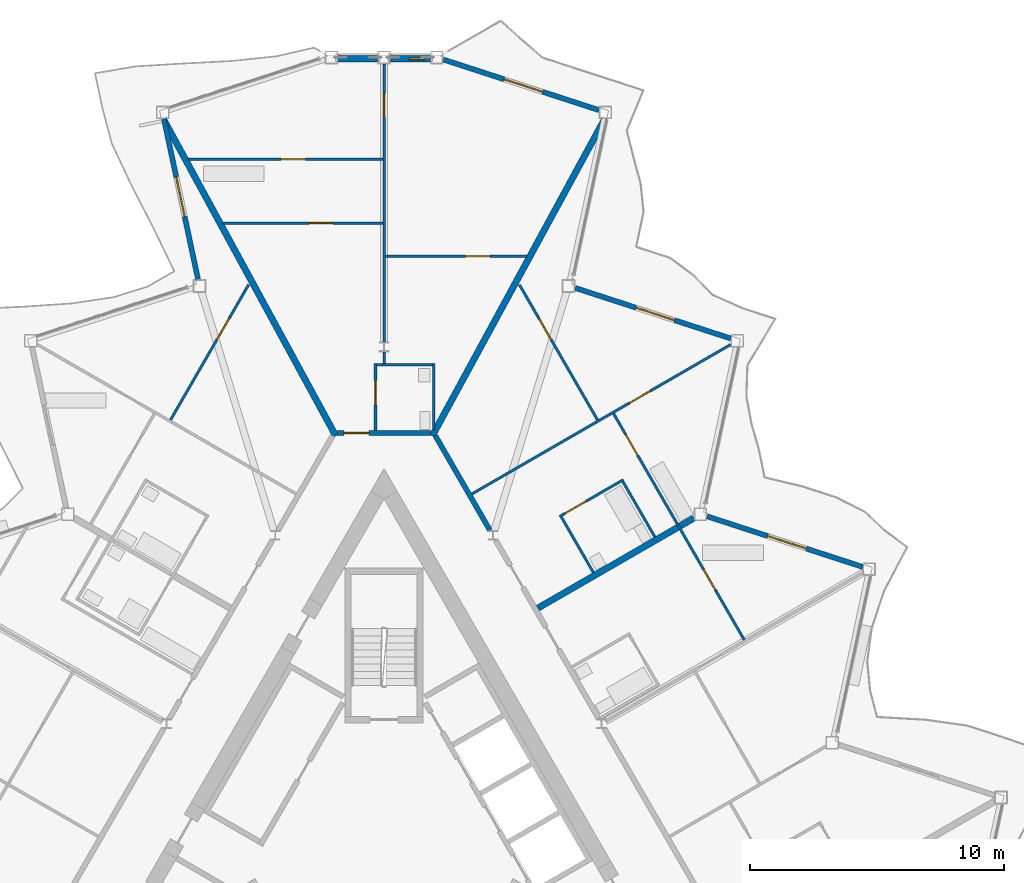
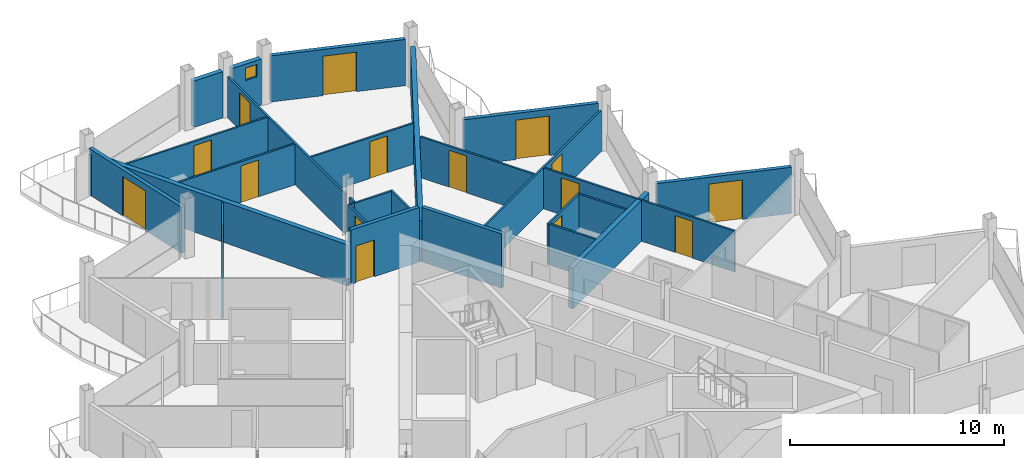
# One storey, part 17 of 26: 27 walls, 16 doors, 1 window, 17 openings.
"""IFC4 building model written with IfcOpenShell, lengths in metres."""

from ifc_helpers import new_model, si_unit, direction, frame, frame_2d, origin, place, context, subcontext, project, spatial, rectangle, extrude, material, layer, layer_set, type_object, element, fill, save


model = new_model("IFC4")

# Units and contexts
model_context = context("Model", 3, precision=1e-05, world=origin(), true_north=direction((0.0, 1.0)))
body_context = subcontext(model_context, "Body", "Model", "MODEL_VIEW")
ifc_project = project(units=[si_unit("LENGTHUNIT", "METRE"), si_unit("AREAUNIT", "SQUARE_METRE"), si_unit("VOLUMEUNIT", "CUBIC_METRE"), si_unit("PLANEANGLEUNIT", "RADIAN"), si_unit("MASSUNIT", "GRAM", prefix="KILO")], contexts=[model_context])

# Site, building, storey
site_placement = place(None, origin())
site = spatial("IfcSite", under=ifc_project, at=site_placement, CompositionType="ELEMENT")
building_placement = place(site_placement, origin())
building = spatial("IfcBuilding", under=site, at=building_placement, Name="Cormorant Prow Tower", CompositionType="ELEMENT")
storey_placement = place(building_placement, frame((0.0, 0.0, 398.39990234375)))
storey = spatial("IfcBuildingStorey", under=building, at=storey_placement, Name="L91", CompositionType="ELEMENT", Elevation=398.39990234375)

# Wall
ifc_material_1 = material(Name="Gypsum board corridor wall")
ifc_layer_1 = layer(ifc_material_1, 0.199951171875)
ifc_layer_set_1 = layer_set([ifc_layer_1], Name="Gypsum board corridor wall")
wall_type_1 = type_object("IfcWallType", Name="Corridor wall 200", PredefinedType="PARTITIONING", material=ifc_layer_set_1)
wall_1_placement = place(storey_placement, frame((2.025390625, 16.302978515625, 0.0), z_axis=(0.0, 0.0, 1.0), x_axis=(0.500004215162, -0.866022970146, 0.0)))
element("IfcWall", 1, at=wall_1_placement, inside=storey, type_object=wall_type_1, Name="Corridor wall", PredefinedType="PARTITIONING", context=body_context, shape_type="SweptSolid", body=[
    extrude(rectangle(XDim=4.30029296875, YDim=0.199951171875, at=frame_2d((2.150146484375, 0.0))), origin(), (0.0, 0.0, 1.0), 3.10009765625),
])

# Wall, opening, door
wall_2_placement = place(storey_placement, frame((-1.837890625, 16.4111328125, 0.0), z_axis=(0.0, 0.0, 1.0), x_axis=(1.0, 0.0, 0.0)))
wall_2 = element("IfcWall", 2, at=wall_2_placement, inside=storey, type_object=wall_type_1, Name="Corridor wall", PredefinedType="PARTITIONING", context=body_context, shape_type="SweptSolid", body=[
    extrude(rectangle(XDim=3.67578125, YDim=0.199951171875, at=frame_2d((1.837890625, 0.0))), origin(), (0.0, 0.0, 1.0), 3.10009765625),
])
opening_1_placement = place(wall_2_placement, frame((0.25, 0.0, 0.0)))
opening_1 = element("IfcOpeningElement", 3, at=opening_1_placement, cuts=wall_2, Name="Opening L91-F33", PredefinedType="OPENING", context=body_context, shape_type="SweptSolid", body=[
    extrude(rectangle(XDim=1.0, YDim=2.10009765625, at=frame_2d((0.5, 1.050048828125))), frame((0.0, 0.10986328125, 0.0), z_axis=(0.0, -1.0, 0.0), x_axis=(1.0, 0.0, 0.0)), (0.0, 0.0, 1.0), 0.219970703125),
])
ifc_material_2 = material(Name="Timber door leaf", Category="wood")
door_type_1 = type_object("IfcDoorType", Name="Flat or room entrance door 1000x2100", OperationType="NOTDEFINED", PredefinedType="DOOR", material=ifc_material_2)
door_1_placement = place(opening_1_placement, origin())
door_1 = element("IfcDoor", 4, at=door_1_placement, inside=storey, type_object=door_type_1, Name="Living room door", OperationType="SINGLE_SWING_RIGHT", OverallHeight=2.10009765625, OverallWidth=1.0, PredefinedType="DOOR", context=body_context, shape_type="SweptSolid", body=[
    extrude(rectangle(XDim=1.0, YDim=2.10009765625, at=frame_2d((0.5, 1.050048828125))), frame((0.0, 0.02490234375, 0.0), z_axis=(0.0, -1.0, 0.0), x_axis=(1.0, 0.0, 0.0)), (0.0, 0.0, 1.0), 0.050048828125),
])
fill(opening_1, door_1)

ifc_material_3 = material(Name="Gypsum board partition")
ifc_layer_2 = layer(ifc_material_3, 0.10009765625)
ifc_layer_set_2 = layer_set([ifc_layer_2], Name="Gypsum board partition")
wall_type_2 = type_object("IfcWallType", Name="Internal partition 100", PredefinedType="PARTITIONING", material=ifc_layer_set_2)
wall_3_placement = place(storey_placement, frame((3.465087890625, 14.009521484375, 0.0), z_axis=(0.0, 0.0, 1.0), x_axis=(0.866032376801, 0.499987922186, 0.0)))
wall_3 = element("IfcWall", 5, at=wall_3_placement, inside=storey, type_object=wall_type_2, Name="Internal partition", PredefinedType="PARTITIONING", context=body_context, shape_type="SweptSolid", body=[
    extrude(rectangle(XDim=11.781982421875, YDim=0.10009765625, at=frame_2d((5.89111328125, 0.0))), origin(), (0.0, 0.0, 1.0), 2.330078125),
])
opening_2_placement = place(wall_3_placement, frame((7.17138671875, 0.0, 0.0)))
opening_2 = element("IfcOpeningElement", 6, at=opening_2_placement, cuts=wall_3, Name="Opening L91-F31", PredefinedType="OPENING", context=body_context, shape_type="SweptSolid", body=[
    extrude(rectangle(XDim=0.949951171875, YDim=2.10009765625, at=frame_2d((0.47509765625, 1.050048828125))), frame((0.0, 0.06005859375, 0.0), z_axis=(0.0, -1.0, 0.0), x_axis=(1.0, 0.0, 0.0)), (0.0, 0.0, 1.0), 0.1201171875),
])
ifc_material_4 = material(Name="Timber door leaf", Category="wood")
door_type_2 = type_object("IfcDoorType", Name="Bathroom door 950x2100", OperationType="NOTDEFINED", PredefinedType="DOOR", material=ifc_material_4)
door_2_placement = place(opening_2_placement, origin())
door_2 = element("IfcDoor", 7, at=door_2_placement, inside=storey, type_object=door_type_2, Name="Kitchen door", OperationType="SINGLE_SWING_LEFT", OverallHeight=2.10009765625, OverallWidth=0.949951171875, PredefinedType="DOOR", context=body_context, shape_type="SweptSolid", body=[
    extrude(rectangle(XDim=0.949951171875, YDim=2.10009765625, at=frame_2d((0.47509765625, 1.050048828125))), frame((0.0, 0.02490234375, 0.0), z_axis=(0.0, -1.0, 0.0), x_axis=(1.0, 0.0, 0.0)), (0.0, 0.0, 1.0), 0.050048828125),
])
fill(opening_2, door_2)

wall_4_placement = place(storey_placement, frame((0.0, 20.008056640625, 0.0), z_axis=(0.0, 0.0, 1.0), x_axis=(0.0, 1.0, 0.0)))
wall_4 = element("IfcWall", 8, at=wall_4_placement, inside=storey, type_object=wall_type_2, Name="Internal partition", PredefinedType="PARTITIONING", context=body_context, shape_type="SweptSolid", body=[
    extrude(rectangle(XDim=10.951416015625, YDim=0.10009765625, at=frame_2d((5.4755859375, 0.0))), origin(), (0.0, 0.0, 1.0), 2.330078125),
])
opening_3_placement = place(wall_4_placement, frame((8.851318359375, 0.0, 0.0)))
opening_3 = element("IfcOpeningElement", 9, at=opening_3_placement, cuts=wall_4, Name="Opening L91-F37", PredefinedType="OPENING", context=body_context, shape_type="SweptSolid", body=[
    extrude(rectangle(XDim=0.949951171875, YDim=2.10009765625, at=frame_2d((0.47509765625, 1.050048828125))), frame((0.0, 0.06005859375, 0.0), z_axis=(0.0, -1.0, 0.0), x_axis=(1.0, 0.0, 0.0)), (0.0, 0.0, 1.0), 0.1201171875),
])
door_3_placement = place(opening_3_placement, origin())
door_3 = element("IfcDoor", 10, at=door_3_placement, inside=storey, type_object=door_type_2, Name="Dining room door", OperationType="SINGLE_SWING_LEFT", OverallHeight=2.10009765625, OverallWidth=0.949951171875, PredefinedType="DOOR", context=body_context, shape_type="SweptSolid", body=[
    extrude(rectangle(XDim=0.949951171875, YDim=2.10009765625, at=frame_2d((0.47509765625, 1.050048828125))), frame((0.0, 0.02490234375, 0.0), z_axis=(0.0, -1.0, 0.0), x_axis=(1.0, 0.0, 0.0)), (0.0, 0.0, 1.0), 0.050048828125),
])
fill(opening_3, door_3)

# Wall, openings, doors
wall_5_placement = place(storey_placement, frame((9.052490234375, 17.177490234375, 0.0), z_axis=(0.0, 0.0, 1.0), x_axis=(0.499998765615, -0.866026116456, 0.0)))
wall_5 = element("IfcWall", 11, at=wall_5_placement, inside=storey, type_object=wall_type_2, Name="Internal partition", PredefinedType="PARTITIONING", context=body_context, shape_type="SweptSolid", body=[
    extrude(rectangle(XDim=10.2998046875, YDim=0.10009765625, at=frame_2d((5.14990234375, 0.0))), origin(), (0.0, 0.0, 1.0), 2.330078125),
])
opening_4_placement = place(wall_5_placement, frame((7.088623046875, 0.0, 0.0)))
opening_4 = element("IfcOpeningElement", 12, at=opening_4_placement, cuts=wall_5, Name="Opening L91-F22", PredefinedType="OPENING", context=body_context, shape_type="SweptSolid", body=[
    extrude(rectangle(XDim=0.949951171875, YDim=2.10009765625, at=frame_2d((0.47509765625, 1.050048828125))), frame((0.0, 0.06005859375, 0.0), z_axis=(0.0, -1.0, 0.0), x_axis=(1.0, 0.0, 0.0)), (0.0, 0.0, 1.0), 0.1201171875),
])
opening_5_placement = place(wall_5_placement, frame((0.953857421875, 0.0, 0.0)))
opening_5 = element("IfcOpeningElement", 13, at=opening_5_placement, cuts=wall_5, Name="Opening L91-F30", PredefinedType="OPENING", context=body_context, shape_type="SweptSolid", body=[
    extrude(rectangle(XDim=0.949951171875, YDim=2.10009765625, at=frame_2d((0.47509765625, 1.050048828125))), frame((0.0, 0.06005859375, 0.0), z_axis=(0.0, -1.0, 0.0), x_axis=(1.0, 0.0, 0.0)), (0.0, 0.0, 1.0), 0.1201171875),
])
door_4_placement = place(opening_4_placement, origin())
door_4 = element("IfcDoor", 14, at=door_4_placement, inside=storey, type_object=door_type_2, Name="Living room door", OperationType="SINGLE_SWING_LEFT", OverallHeight=2.10009765625, OverallWidth=0.949951171875, PredefinedType="DOOR", context=body_context, shape_type="SweptSolid", body=[
    extrude(rectangle(XDim=0.949951171875, YDim=2.10009765625, at=frame_2d((0.47509765625, 1.050048828125))), frame((0.0, 0.02490234375, 0.0), z_axis=(0.0, -1.0, 0.0), x_axis=(1.0, 0.0, 0.0)), (0.0, 0.0, 1.0), 0.050048828125),
])
fill(opening_4, door_4)
door_5_placement = place(opening_5_placement, origin())
door_5 = element("IfcDoor", 15, at=door_5_placement, inside=storey, type_object=door_type_2, Name="Living room door", OperationType="SINGLE_SWING_LEFT", OverallHeight=2.10009765625, OverallWidth=0.949951171875, PredefinedType="DOOR", context=body_context, shape_type="SweptSolid", body=[
    extrude(rectangle(XDim=0.949951171875, YDim=2.10009765625, at=frame_2d((0.47509765625, 1.050048828125))), frame((0.0, 0.02490234375, 0.0), z_axis=(0.0, -1.0, 0.0), x_axis=(1.0, 0.0, 0.0)), (0.0, 0.0, 1.0), 0.050048828125),
])
fill(opening_5, door_5)

# Wall, opening, door
wall_6_placement = place(storey_placement, frame((-7.71240234375, 27.20849609375, 0.0), z_axis=(0.0, 0.0, 1.0), x_axis=(1.0, 0.0, 0.0)))
wall_6 = element("IfcWall", 16, at=wall_6_placement, inside=storey, type_object=wall_type_2, Name="Internal partition", PredefinedType="PARTITIONING", context=body_context, shape_type="SweptSolid", body=[
    extrude(rectangle(XDim=7.662353515625, YDim=0.10009765625, at=frame_2d((3.8310546875, 0.0))), origin(), (0.0, 0.0, 1.0), 2.330078125),
])
opening_6_placement = place(wall_6_placement, frame((3.65673828125, 0.0, 0.0)))
opening_6 = element("IfcOpeningElement", 17, at=opening_6_placement, cuts=wall_6, Name="Opening L91-F36", PredefinedType="OPENING", context=body_context, shape_type="SweptSolid", body=[
    extrude(rectangle(XDim=0.949951171875, YDim=2.10009765625, at=frame_2d((0.47509765625, 1.050048828125))), frame((0.0, 0.06005859375, 0.0), z_axis=(0.0, -1.0, 0.0), x_axis=(1.0, 0.0, 0.0)), (0.0, 0.0, 1.0), 0.1201171875),
])
door_6_placement = place(opening_6_placement, origin())
door_6 = element("IfcDoor", 18, at=door_6_placement, inside=storey, type_object=door_type_2, Name="Kitchen door", OperationType="SINGLE_SWING_LEFT", OverallHeight=2.10009765625, OverallWidth=0.949951171875, PredefinedType="DOOR", context=body_context, shape_type="SweptSolid", body=[
    extrude(rectangle(XDim=0.949951171875, YDim=2.10009765625, at=frame_2d((0.47509765625, 1.050048828125))), frame((0.0, 0.02490234375, 0.0), z_axis=(0.0, -1.0, 0.0), x_axis=(1.0, 0.0, 0.0)), (0.0, 0.0, 1.0), 0.050048828125),
])
fill(opening_6, door_6)

wall_7_placement = place(storey_placement, frame((-6.34326171875, 24.69189453125, 0.0), z_axis=(0.0, 0.0, 1.0), x_axis=(1.0, 0.0, 0.0)))
wall_7 = element("IfcWall", 19, at=wall_7_placement, inside=storey, type_object=wall_type_2, Name="Internal partition", PredefinedType="PARTITIONING", context=body_context, shape_type="SweptSolid", body=[
    extrude(rectangle(XDim=6.293212890625, YDim=0.10009765625, at=frame_2d((3.146484375, 0.0))), origin(), (0.0, 0.0, 1.0), 2.330078125),
])
opening_7_placement = place(wall_7_placement, frame((3.3779296875, 0.0, 0.0)))
opening_7 = element("IfcOpeningElement", 20, at=opening_7_placement, cuts=wall_7, Name="Opening L91-F35", PredefinedType="OPENING", context=body_context, shape_type="SweptSolid", body=[
    extrude(rectangle(XDim=0.949951171875, YDim=2.10009765625, at=frame_2d((0.47509765625, 1.050048828125))), frame((0.0, 0.06005859375, 0.0), z_axis=(0.0, -1.0, 0.0), x_axis=(1.0, 0.0, 0.0)), (0.0, 0.0, 1.0), 0.1201171875),
])
door_7_placement = place(opening_7_placement, origin())
door_7 = element("IfcDoor", 21, at=door_7_placement, inside=storey, type_object=door_type_2, Name="Living room door", OperationType="SINGLE_SWING_LEFT", OverallHeight=2.10009765625, OverallWidth=0.949951171875, PredefinedType="DOOR", context=body_context, shape_type="SweptSolid", body=[
    extrude(rectangle(XDim=0.949951171875, YDim=2.10009765625, at=frame_2d((0.47509765625, 1.050048828125))), frame((0.0, 0.02490234375, 0.0), z_axis=(0.0, -1.0, 0.0), x_axis=(1.0, 0.0, 0.0)), (0.0, 0.0, 1.0), 0.050048828125),
])
fill(opening_7, door_7)

wall_8_placement = place(storey_placement, frame((-8.419189453125, 16.927490234375, 0.0), z_axis=(0.0, 0.0, 1.0), x_axis=(0.500027893485, 0.866009298874, 0.0)))
wall_8 = element("IfcWall", 22, at=wall_8_placement, inside=storey, type_object=wall_type_2, Name="Internal partition", PredefinedType="PARTITIONING", context=body_context, shape_type="SweptSolid", body=[
    extrude(rectangle(XDim=6.157958984375, YDim=0.10009765625, at=frame_2d((3.0791015625, 0.0))), origin(), (0.0, 0.0, 1.0), 2.330078125),
])
opening_8_placement = place(wall_8_placement, frame((3.65576171875, 0.0, 0.0)))
opening_8 = element("IfcOpeningElement", 23, at=opening_8_placement, cuts=wall_8, Name="Opening L91-F43", PredefinedType="OPENING", context=body_context, shape_type="SweptSolid", body=[
    extrude(rectangle(XDim=0.949951171875, YDim=2.10009765625, at=frame_2d((0.47509765625, 1.050048828125))), frame((0.0, 0.06005859375, 0.0), z_axis=(0.0, -1.0, 0.0), x_axis=(1.0, 0.0, 0.0)), (0.0, 0.0, 1.0), 0.1201171875),
])
door_8_placement = place(opening_8_placement, origin())
door_8 = element("IfcDoor", 24, at=door_8_placement, inside=storey, type_object=door_type_2, Name="Bedroom door", OperationType="SINGLE_SWING_LEFT", OverallHeight=2.10009765625, OverallWidth=0.949951171875, PredefinedType="DOOR", context=body_context, shape_type="SweptSolid", body=[
    extrude(rectangle(XDim=0.949951171875, YDim=2.10009765625, at=frame_2d((0.47509765625, 1.050048828125))), frame((0.0, 0.02490234375, 0.0), z_axis=(0.0, -1.0, 0.0), x_axis=(1.0, 0.0, 0.0)), (0.0, 0.0, 1.0), 0.050048828125),
])
fill(opening_8, door_8)

wall_9_placement = place(storey_placement, frame((5.340087890625, 22.26025390625, 0.0), z_axis=(0.0, 0.0, 1.0), x_axis=(0.500027893485, -0.866009298874, 0.0)))
wall_9 = element("IfcWall", 25, at=wall_9_placement, inside=storey, type_object=wall_type_2, Name="Internal partition", PredefinedType="PARTITIONING", context=body_context, shape_type="SweptSolid", body=[
    extrude(rectangle(XDim=6.157958984375, YDim=0.10009765625, at=frame_2d((3.0791015625, 0.0))), origin(), (0.0, 0.0, 1.0), 2.330078125),
])
opening_9_placement = place(wall_9_placement, frame((1.55224609375, 0.0, 0.0)))
opening_9 = element("IfcOpeningElement", 26, at=opening_9_placement, cuts=wall_9, Name="Opening L91-F32", PredefinedType="OPENING", context=body_context, shape_type="SweptSolid", body=[
    extrude(rectangle(XDim=0.949951171875, YDim=2.10009765625, at=frame_2d((0.47509765625, 1.050048828125))), frame((0.0, 0.06005859375, 0.0), z_axis=(0.0, -1.0, 0.0), x_axis=(1.0, 0.0, 0.0)), (0.0, 0.0, 1.0), 0.1201171875),
])
door_9_placement = place(opening_9_placement, origin())
door_9 = element("IfcDoor", 27, at=door_9_placement, inside=storey, type_object=door_type_2, Name="Bedroom door", OperationType="SINGLE_SWING_RIGHT", OverallHeight=2.10009765625, OverallWidth=0.949951171875, PredefinedType="DOOR", context=body_context, shape_type="SweptSolid", body=[
    extrude(rectangle(XDim=0.949951171875, YDim=2.10009765625, at=frame_2d((0.47509765625, 1.050048828125))), frame((0.0, 0.02490234375, 0.0), z_axis=(0.0, -1.0, 0.0), x_axis=(1.0, 0.0, 0.0)), (0.0, 0.0, 1.0), 0.050048828125),
])
fill(opening_9, door_9)

wall_10_placement = place(storey_placement, frame((0.050048828125, 23.38330078125, 0.0), z_axis=(0.0, 0.0, 1.0), x_axis=(1.0, 0.0, 0.0)))
wall_10 = element("IfcWall", 28, at=wall_10_placement, inside=storey, type_object=wall_type_2, Name="Internal partition", PredefinedType="PARTITIONING", context=body_context, shape_type="SweptSolid", body=[
    extrude(rectangle(XDim=5.581298828125, YDim=0.10009765625, at=frame_2d((2.79052734375, 0.0))), origin(), (0.0, 0.0, 1.0), 2.330078125),
])
opening_10_placement = place(wall_10_placement, frame((3.172119140625, 0.0, 0.0)))
opening_10 = element("IfcOpeningElement", 29, at=opening_10_placement, cuts=wall_10, Name="Opening L91-F38", PredefinedType="OPENING", context=body_context, shape_type="SweptSolid", body=[
    extrude(rectangle(XDim=0.949951171875, YDim=2.10009765625, at=frame_2d((0.47509765625, 1.050048828125))), frame((0.0, 0.06005859375, 0.0), z_axis=(0.0, -1.0, 0.0), x_axis=(1.0, 0.0, 0.0)), (0.0, 0.0, 1.0), 0.1201171875),
])
door_10_placement = place(opening_10_placement, origin())
door_10 = element("IfcDoor", 30, at=door_10_placement, inside=storey, type_object=door_type_2, Name="Principal bedroom door", OperationType="SINGLE_SWING_RIGHT", OverallHeight=2.10009765625, OverallWidth=0.949951171875, PredefinedType="DOOR", context=body_context, shape_type="SweptSolid", body=[
    extrude(rectangle(XDim=0.949951171875, YDim=2.10009765625, at=frame_2d((0.47509765625, 1.050048828125))), frame((0.0, 0.02490234375, 0.0), z_axis=(0.0, -1.0, 0.0), x_axis=(1.0, 0.0, 0.0)), (0.0, 0.0, 1.0), 0.050048828125),
])
fill(opening_10, door_10)

wall_11_placement = place(storey_placement, frame((6.92333984375, 13.119384765625, 0.0), z_axis=(0.0, 0.0, 1.0), x_axis=(0.866032775405, 0.499987231761, 0.0)))
wall_11 = element("IfcWall", 31, at=wall_11_placement, inside=storey, type_object=wall_type_2, Name="Internal partition", PredefinedType="PARTITIONING", context=body_context, shape_type="SweptSolid", body=[
    extrude(rectangle(XDim=2.89990234375, YDim=0.10009765625, at=frame_2d((1.449951171875, 0.0))), origin(), (0.0, 0.0, 1.0), 2.330078125),
])
opening_11_placement = place(wall_11_placement, frame((0.25, 0.0, 0.0)))
opening_11 = element("IfcOpeningElement", 32, at=opening_11_placement, cuts=wall_11, Name="Opening L91-F29", PredefinedType="OPENING", context=body_context, shape_type="SweptSolid", body=[
    extrude(rectangle(XDim=0.949951171875, YDim=2.10009765625, at=frame_2d((0.47509765625, 1.050048828125))), frame((0.0, 0.06005859375, 0.0), z_axis=(0.0, -1.0, 0.0), x_axis=(1.0, 0.0, 0.0)), (0.0, 0.0, 1.0), 0.1201171875),
])
door_11_placement = place(opening_11_placement, origin())
door_11 = element("IfcDoor", 33, at=door_11_placement, inside=storey, type_object=door_type_2, Name="Living room door", OperationType="SINGLE_SWING_LEFT", OverallHeight=2.10009765625, OverallWidth=0.949951171875, PredefinedType="DOOR", context=body_context, shape_type="SweptSolid", body=[
    extrude(rectangle(XDim=0.949951171875, YDim=2.10009765625, at=frame_2d((0.47509765625, 1.050048828125))), frame((0.0, 0.02490234375, 0.0), z_axis=(0.0, -1.0, 0.0), x_axis=(1.0, 0.0, 0.0)), (0.0, 0.0, 1.0), 0.050048828125),
])
fill(opening_11, door_11)

# Walls
wall_12_placement = place(storey_placement, frame((1.962890625, 16.535888671875, 0.0), z_axis=(0.0, 0.0, 1.0), x_axis=(0.0, 1.0, 0.0)))
element("IfcWall", 34, at=wall_12_placement, inside=storey, type_object=wall_type_2, Name="Internal partition", PredefinedType="PARTITIONING", context=body_context, shape_type="SweptSolid", body=[
    extrude(rectangle(XDim=2.625, YDim=0.10009765625, at=frame_2d((1.3125, 0.0))), origin(), (0.0, 0.0, 1.0), 2.330078125),
])
wall_13_placement = place(storey_placement, frame((9.41650390625, 14.501220703125, 0.0), z_axis=(0.0, 0.0, 1.0), x_axis=(0.500048846702, -0.865997200291, 0.0)))
element("IfcWall", 35, at=wall_13_placement, inside=storey, type_object=wall_type_2, Name="Internal partition", PredefinedType="PARTITIONING", context=body_context, shape_type="SweptSolid", body=[
    extrude(rectangle(XDim=2.525146484375, YDim=0.10009765625, at=frame_2d((1.2626953125, 0.0))), origin(), (0.0, 0.0, 1.0), 2.330078125),
])
wall_14_placement = place(storey_placement, frame((6.99169921875, 13.10107421875, 0.0), z_axis=(0.0, 0.0, 1.0), x_axis=(0.499976333282, -0.866039067339, 0.0)))
element("IfcWall", 36, at=wall_14_placement, inside=storey, type_object=wall_type_2, Name="Internal partition", PredefinedType="PARTITIONING", context=body_context, shape_type="SweptSolid", body=[
    extrude(rectangle(XDim=2.52490234375, YDim=0.10009765625, at=frame_2d((1.262451171875, 0.0))), origin(), (0.0, 0.0, 1.0), 2.330078125),
])

# Wall, opening, door
wall_15_placement = place(storey_placement, frame((-0.3369140625, 16.510986328125, 0.0), z_axis=(0.0, 0.0, 1.0), x_axis=(0.0, 1.0, 0.0)))
wall_15 = element("IfcWall", 37, at=wall_15_placement, inside=storey, type_object=wall_type_2, Name="Internal partition", PredefinedType="PARTITIONING", context=body_context, shape_type="SweptSolid", body=[
    extrude(rectangle(XDim=2.649169921875, YDim=0.10009765625, at=frame_2d((1.32470703125, 0.0))), origin(), (0.0, 0.0, 1.0), 2.330078125),
])
opening_12_placement = place(wall_15_placement, frame((1.01318359375, 0.0, 0.0)))
opening_12 = element("IfcOpeningElement", 38, at=opening_12_placement, cuts=wall_15, Name="Opening L91-F34", PredefinedType="OPENING", context=body_context, shape_type="SweptSolid", body=[
    extrude(rectangle(XDim=0.949951171875, YDim=2.10009765625, at=frame_2d((0.47509765625, 1.050048828125))), frame((0.0, 0.06005859375, 0.0), z_axis=(0.0, -1.0, 0.0), x_axis=(1.0, 0.0, 0.0)), (0.0, 0.0, 1.0), 0.1201171875),
])
door_12_placement = place(opening_12_placement, origin())
door_12 = element("IfcDoor", 39, at=door_12_placement, inside=storey, type_object=door_type_2, Name="Living room door", OperationType="SINGLE_SWING_RIGHT", OverallHeight=2.10009765625, OverallWidth=0.949951171875, PredefinedType="DOOR", context=body_context, shape_type="SweptSolid", body=[
    extrude(rectangle(XDim=0.949951171875, YDim=2.10009765625, at=frame_2d((0.47509765625, 1.050048828125))), frame((0.0, 0.02490234375, 0.0), z_axis=(0.0, -1.0, 0.0), x_axis=(1.0, 0.0, 0.0)), (0.0, 0.0, 1.0), 0.050048828125),
])
fill(opening_12, door_12)

# Walls
wall_16_placement = place(storey_placement, frame((-0.06005859375, 19.111083984375, 0.0), z_axis=(0.0, 0.0, 1.0), x_axis=(1.0, 0.0, 0.0)))
element("IfcWall", 40, at=wall_16_placement, inside=storey, type_object=wall_type_2, Name="Internal partition", PredefinedType="PARTITIONING", context=body_context, shape_type="SweptSolid", body=[
    extrude(rectangle(XDim=1.97314453125, YDim=0.10009765625, at=frame_2d((0.986572265625, 0.0))), origin(), (0.0, 0.0, 1.0), 2.330078125),
])
wall_17_placement = place(storey_placement, frame((0.0, 19.160888671875, 0.0), z_axis=(0.0, 0.0, 1.0), x_axis=(0.0, 1.0, 0.0)))
element("IfcWall", 41, at=wall_17_placement, inside=storey, type_object=wall_type_2, Name="Internal partition", PredefinedType="PARTITIONING", context=body_context, shape_type="SweptSolid", body=[
    extrude(rectangle(XDim=0.453125, YDim=0.10009765625, at=frame_2d((0.2265625, 0.0))), origin(), (0.0, 0.0, 1.0), 2.330078125),
])
wall_18_placement = place(storey_placement, frame((-0.287109375, 19.1103515625, 0.0), z_axis=(0.0, 0.0, 1.0), x_axis=(0.999997637059, 0.002173907907, 0.0)))
element("IfcWall", 42, at=wall_18_placement, inside=storey, type_object=wall_type_2, Name="Internal partition", PredefinedType="PARTITIONING", context=body_context, shape_type="SweptSolid", body=[
    extrude(rectangle(XDim=0.224609375, YDim=0.10009765625, at=frame_2d((0.1123046875, 0.0))), origin(), (0.0, 0.0, 1.0), 2.330078125),
])
ifc_material_5 = material(Name="Acoustic gypsum party wall")
ifc_layer_3 = layer(ifc_material_5, 0.25)
ifc_layer_set_3 = layer_set([ifc_layer_3], Name="Acoustic gypsum party wall")
wall_type_3 = type_object("IfcWallType", Name="Suite party wall 250", PredefinedType="PARTITIONING", material=ifc_layer_set_3)
for number, where, z_axis, x_axis, name in (
    (43, (-8.701904296875, 28.797119140625, 0.0), (0.0, 0.0, 1.0), (0.47791275145, -0.878407309852, 0.0), "Suite party wall"),
    (44, (1.9033203125, 16.30126953125, 0.0), (0.0, 0.0, 1.0), (0.47791275145, 0.878407309852, 0.0), "Suite party wall"),
):
    element("IfcWall", number, at=place(storey_placement, frame(where, z_axis=z_axis, x_axis=x_axis)), inside=storey, type_object=wall_type_3, Name=name, PredefinedType="PARTITIONING", context=body_context, shape_type="SweptSolid", body=[
        extrude(rectangle(XDim=14.2255859375, YDim=0.25, at=frame_2d((7.11279296875, 0.0))), origin(), (0.0, 0.0, 1.0), 2.330078125),
    ])
wall_19_placement = place(storey_placement, frame((6.065185546875, 9.506103515625, 0.0), z_axis=(0.0, 0.0, 1.0), x_axis=(0.866018949465, 0.500011179042, 0.0)))
element("IfcWall", 45, at=wall_19_placement, inside=storey, type_object=wall_type_3, Name="Suite party wall", PredefinedType="PARTITIONING", context=body_context, shape_type="SweptSolid", body=[
    extrude(rectangle(XDim=7.099853515625, YDim=0.25, at=frame_2d((3.5498046875, 0.0))), origin(), (0.0, 0.0, 1.0), 2.330078125),
])

# Wall, opening, window
ifc_material_6 = material(Name="Terracotta", Category="masonry")
ifc_layer_4 = layer(ifc_material_6, 0.25)
ifc_layer_set_4 = layer_set([ifc_layer_4], Name="Terracotta")
wall_type_4 = type_object("IfcWallType", Name="Terracotta bay wall 250", PredefinedType="SOLIDWALL", material=ifc_layer_set_4)
wall_20_placement = place(storey_placement, frame((1.831787109375, 31.166015625, 0.0), z_axis=(0.0, 0.0, 1.0), x_axis=(-1.0, 0.0, 0.0)))
wall_20 = element("IfcWall", 46, at=wall_20_placement, inside=storey, type_object=wall_type_4, Name="Terracotta bay wall N00", PredefinedType="SOLIDWALL", context=body_context, shape_type="SweptSolid", body=[
    extrude(rectangle(XDim=1.581787109375, YDim=0.25, at=frame_2d((0.791015625, 0.0))), origin(), (0.0, 0.0, 1.0), 2.634033203125),
])
opening_13_placement = place(wall_20_placement, frame((0.25, 0.0, 1.699951171875)))
opening_13 = element("IfcOpeningElement", 47, at=opening_13_placement, cuts=wall_20, Name="Opening WN11", PredefinedType="OPENING", context=body_context, shape_type="SweptSolid", body=[
    extrude(rectangle(XDim=0.60009765625, YDim=0.699951171875, at=frame_2d((0.300048828125, 0.35009765625))), frame((0.0, 0.135009765625, 0.0), z_axis=(0.0, -1.0, 0.0), x_axis=(1.0, 0.0, 0.0)), (0.0, 0.0, 1.0), 0.27001953125),
])
ifc_material_7 = material(Name="Aluminium 6063-T6", Category="aluminium")
window_type = type_object("IfcWindowType", Name="Corner bay window 600x700", PartitioningType="SINGLE_PANEL", PredefinedType="WINDOW", material=ifc_material_7)
window_placement = place(opening_13_placement, origin())
window = element("IfcWindow", 48, at=window_placement, inside=storey, type_object=window_type, Name="Corner bay window N00", OverallHeight=0.699951171875, OverallWidth=0.60009765625, PartitioningType="SINGLE_PANEL", PredefinedType="WINDOW", context=body_context, shape_type="SweptSolid", body=[
    extrude(rectangle(XDim=0.60009765625, YDim=0.699951171875, at=frame_2d((0.300048828125, 0.35009765625))), frame((0.0, 0.030029296875, 0.0), z_axis=(0.0, -1.0, 0.0), x_axis=(1.0, 0.0, 0.0)), (0.0, 0.0, 1.0), 0.06005859375),
])
fill(opening_13, window)

# Wall
wall_21_placement = place(storey_placement, frame((-0.25, 31.166015625, 0.0), z_axis=(0.0, 0.0, 1.0), x_axis=(-1.0, 0.0, 0.0)))
element("IfcWall", 49, at=wall_21_placement, inside=storey, type_object=wall_type_4, Name="Terracotta bay wall N01", PredefinedType="SOLIDWALL", context=body_context, shape_type="SweptSolid", body=[
    extrude(rectangle(XDim=1.581787109375, YDim=0.25, at=frame_2d((0.791015625, 0.0))), origin(), (0.0, 0.0, 1.0), 2.634033203125),
])

# Wall, opening, door
ifc_material_8 = material(Name="Terracotta", Category="masonry")
ifc_layer_5 = layer(ifc_material_8, 0.199951171875)
ifc_layer_set_5 = layer_set([ifc_layer_5], Name="Terracotta")
wall_type_5 = type_object("IfcWallType", Name="Terracotta jamb wall 200", PredefinedType="SOLIDWALL", material=ifc_layer_set_5)
wall_22_placement = place(storey_placement, frame((18.87353515625, 11.133544921875, 0.0), z_axis=(0.0, 0.0, 1.0), x_axis=(-0.951063037463, 0.308996923563, 0.0)))
wall_22 = element("IfcWall", 50, at=wall_22_placement, inside=storey, type_object=wall_type_5, Name="Terracotta jamb wall ENE05", PredefinedType="SOLIDWALL", context=body_context, shape_type="SweptSolid", body=[
    extrude(rectangle(XDim=6.440185546875, YDim=0.199951171875, at=frame_2d((3.22021484375, 0.0))), origin(), (0.0, 0.0, 1.0), 2.634033203125),
])
opening_14_placement = place(wall_22_placement, frame((2.332763671875, 0.0, 0.0)))
opening_14 = element("IfcOpeningElement", 51, at=opening_14_placement, cuts=wall_22, Name="Opening ED91.08", PredefinedType="OPENING", context=body_context, shape_type="SweptSolid", body=[
    extrude(rectangle(XDim=1.60009765625, YDim=2.25, at=frame_2d((0.800048828125, 1.125))), frame((0.0, 0.10986328125, 0.0), z_axis=(0.0, -1.0, 0.0), x_axis=(1.0, 0.0, 0.0)), (0.0, 0.0, 1.0), 0.219970703125),
])
ifc_material_9 = material(Name="Aluminium 6063-T6", Category="aluminium")
door_type_3 = type_object("IfcDoorType", Name="Balcony door 1600x2250", OperationType="DOUBLE_DOOR_SINGLE_SWING", PredefinedType="DOOR", material=ifc_material_9)
door_13_placement = place(opening_14_placement, origin())
door_13 = element("IfcDoor", 52, at=door_13_placement, inside=storey, type_object=door_type_3, Name="Balcony door ENE05 ED91.08", OperationType="DOUBLE_DOOR_SINGLE_SWING", OverallHeight=2.25, OverallWidth=1.60009765625, PredefinedType="DOOR", context=body_context, shape_type="SweptSolid", body=[
    extrude(rectangle(XDim=1.60009765625, YDim=2.25, at=frame_2d((0.800048828125, 1.125))), frame((0.0, 0.02490234375, 0.0), z_axis=(0.0, -1.0, 0.0), x_axis=(1.0, 0.0, 0.0)), (0.0, 0.0, 1.0), 0.050048828125),
])
fill(opening_14, door_13)

wall_23_placement = place(storey_placement, frame((13.673583984375, 20.14013671875, 0.0), z_axis=(0.0, 0.0, 1.0), x_axis=(-0.951051896423, 0.309031212518, 0.0)))
wall_23 = element("IfcWall", 53, at=wall_23_placement, inside=storey, type_object=wall_type_5, Name="Terracotta jamb wall ENE07", PredefinedType="SOLIDWALL", context=body_context, shape_type="SweptSolid", body=[
    extrude(rectangle(XDim=6.440185546875, YDim=0.199951171875, at=frame_2d((3.22021484375, 0.0))), origin(), (0.0, 0.0, 1.0), 2.634033203125),
])
opening_15_placement = place(wall_23_placement, frame((2.332763671875, 0.0, 0.0)))
opening_15 = element("IfcOpeningElement", 54, at=opening_15_placement, cuts=wall_23, Name="Opening ED91.09", PredefinedType="OPENING", context=body_context, shape_type="SweptSolid", body=[
    extrude(rectangle(XDim=1.60009765625, YDim=2.25, at=frame_2d((0.800048828125, 1.125))), frame((0.0, 0.10986328125, 0.0), z_axis=(0.0, -1.0, 0.0), x_axis=(1.0, 0.0, 0.0)), (0.0, 0.0, 1.0), 0.219970703125),
])
door_14_placement = place(opening_15_placement, origin())
door_14 = element("IfcDoor", 55, at=door_14_placement, inside=storey, type_object=door_type_3, Name="Balcony door ENE07 ED91.09", OperationType="DOUBLE_DOOR_SINGLE_SWING", OverallHeight=2.25, OverallWidth=1.60009765625, PredefinedType="DOOR", context=body_context, shape_type="SweptSolid", body=[
    extrude(rectangle(XDim=1.60009765625, YDim=2.25, at=frame_2d((0.800048828125, 1.125))), frame((0.0, 0.02490234375, 0.0), z_axis=(0.0, -1.0, 0.0), x_axis=(1.0, 0.0, 0.0)), (0.0, 0.0, 1.0), 0.050048828125),
])
fill(opening_15, door_14)

wall_24_placement = place(storey_placement, frame((8.4736328125, 29.146728515625, 0.0), z_axis=(0.0, 0.0, 1.0), x_axis=(-0.951051896423, 0.309031212518, 0.0)))
wall_24 = element("IfcWall", 56, at=wall_24_placement, inside=storey, type_object=wall_type_5, Name="Terracotta jamb wall ENE09", PredefinedType="SOLIDWALL", context=body_context, shape_type="SweptSolid", body=[
    extrude(rectangle(XDim=6.440185546875, YDim=0.199951171875, at=frame_2d((3.22021484375, 0.0))), origin(), (0.0, 0.0, 1.0), 2.634033203125),
])
opening_16_placement = place(wall_24_placement, frame((2.332763671875, 0.0, 0.0)))
opening_16 = element("IfcOpeningElement", 57, at=opening_16_placement, cuts=wall_24, Name="Opening ED91.10", PredefinedType="OPENING", context=body_context, shape_type="SweptSolid", body=[
    extrude(rectangle(XDim=1.60009765625, YDim=2.25, at=frame_2d((0.800048828125, 1.125))), frame((0.0, 0.10986328125, 0.0), z_axis=(0.0, -1.0, 0.0), x_axis=(1.0, 0.0, 0.0)), (0.0, 0.0, 1.0), 0.219970703125),
])
door_15_placement = place(opening_16_placement, origin())
door_15 = element("IfcDoor", 58, at=door_15_placement, inside=storey, type_object=door_type_3, Name="Balcony door ENE09 ED91.10", OperationType="DOUBLE_DOOR_SINGLE_SWING", OverallHeight=2.25, OverallWidth=1.60009765625, PredefinedType="DOOR", context=body_context, shape_type="SweptSolid", body=[
    extrude(rectangle(XDim=1.60009765625, YDim=2.25, at=frame_2d((0.800048828125, 1.125))), frame((0.0, 0.02490234375, 0.0), z_axis=(0.0, -1.0, 0.0), x_axis=(1.0, 0.0, 0.0)), (0.0, 0.0, 1.0), 0.050048828125),
])
fill(opening_16, door_15)

wall_25_placement = place(storey_placement, frame((-8.6787109375, 28.79150390625, 0.0), z_axis=(0.0, 0.0, 1.0), x_axis=(0.207932057694, -0.978143271399, 0.0)))
wall_25 = element("IfcWall", 59, at=wall_25_placement, inside=storey, type_object=wall_type_5, Name="Terracotta jamb wall WNW01", PredefinedType="SOLIDWALL", context=body_context, shape_type="SweptSolid", body=[
    extrude(rectangle(XDim=6.453125, YDim=0.199951171875, at=frame_2d((3.2265625, 0.0))), origin(), (0.0, 0.0, 1.0), 2.634033203125),
])
opening_17_placement = place(wall_25_placement, frame((2.332763671875, 0.0, 0.0)))
opening_17 = element("IfcOpeningElement", 60, at=opening_17_placement, cuts=wall_25, Name="Opening ED91.11", PredefinedType="OPENING", context=body_context, shape_type="SweptSolid", body=[
    extrude(rectangle(XDim=1.60009765625, YDim=2.25, at=frame_2d((0.800048828125, 1.125))), frame((0.0, 0.10986328125, 0.0), z_axis=(0.0, -1.0, 0.0), x_axis=(1.0, 0.0, 0.0)), (0.0, 0.0, 1.0), 0.219970703125),
])
door_16_placement = place(opening_17_placement, origin())
door_16 = element("IfcDoor", 61, at=door_16_placement, inside=storey, type_object=door_type_3, Name="Balcony door WNW01 ED91.11", OperationType="DOUBLE_DOOR_SINGLE_SWING", OverallHeight=2.25, OverallWidth=1.60009765625, PredefinedType="DOOR", context=body_context, shape_type="SweptSolid", body=[
    extrude(rectangle(XDim=1.60009765625, YDim=2.25, at=frame_2d((0.800048828125, 1.125))), frame((0.0, 0.02490234375, 0.0), z_axis=(0.0, -1.0, 0.0), x_axis=(1.0, 0.0, 0.0)), (0.0, 0.0, 1.0), 0.050048828125),
])
fill(opening_17, door_16)

save(model, "model.ifc")
